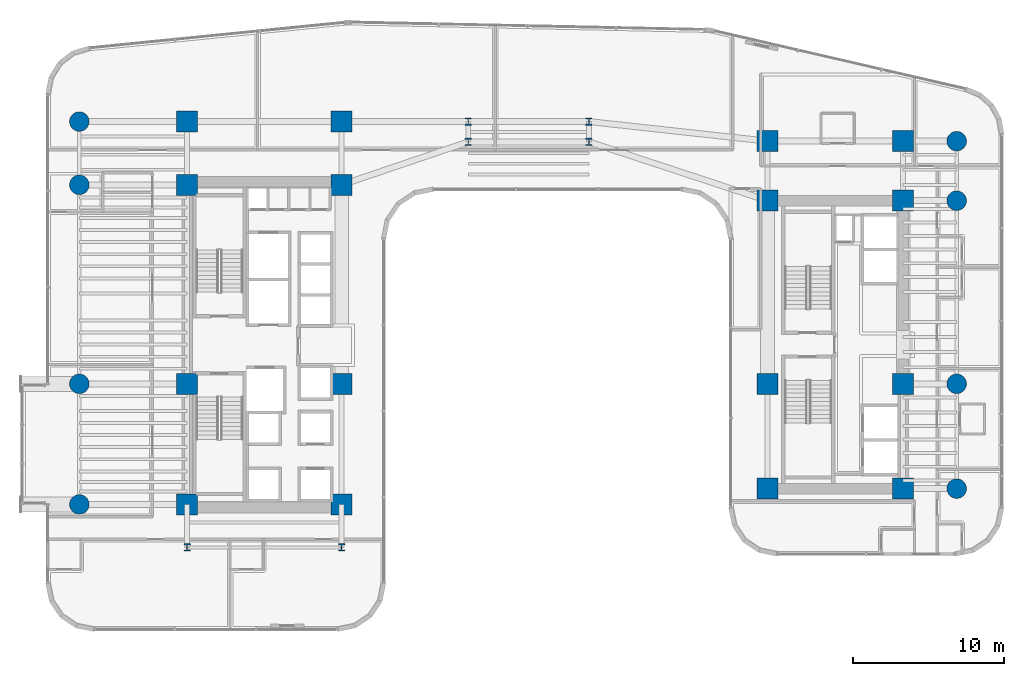
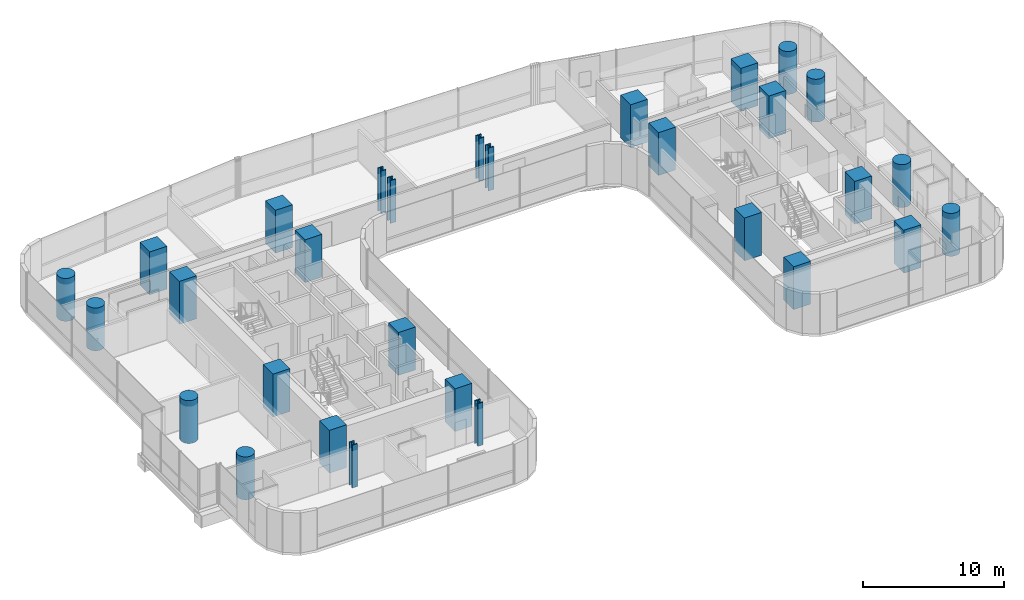
# One storey, part 1 of 41: 30 columns.
"""IFC4 building model written with IfcOpenShell, lengths in metres."""

from ifc_helpers import new_model, si_unit, direction, frame, origin, origin_2d, place, context, subcontext, project, spatial, rectangle, circle, i_section, extrude, source, transform, mapped, material, material_profile, profile_set, type_object, element, save


model = new_model("IFC4")

# Units and contexts
model_context = context("Model", 3, precision=1e-05, world=origin(), true_north=direction((0.0, 1.0)))
body_context = subcontext(model_context, "Body", "Model", "MODEL_VIEW")
ifc_project = project(units=[si_unit("LENGTHUNIT", "METRE"), si_unit("AREAUNIT", "SQUARE_METRE"), si_unit("VOLUMEUNIT", "CUBIC_METRE"), si_unit("PLANEANGLEUNIT", "RADIAN"), si_unit("MASSUNIT", "GRAM", prefix="KILO")], contexts=[model_context])

# Site, building, storey
site_placement = place(None, origin())
site = spatial("IfcSite", under=ifc_project, at=site_placement, CompositionType="ELEMENT")
building_placement = place(site_placement, origin())
building = spatial("IfcBuilding", under=site, at=building_placement, Name="Valdorenza Pilgrim Sanctuary Tower", CompositionType="ELEMENT")
storey_placement = place(building_placement, frame((0.0, 0.0, 63.0)))
storey = spatial("IfcBuildingStorey", under=building, at=storey_placement, Name="L15", CompositionType="ELEMENT", Elevation=63.0)

# Columns
ifc_material_1 = material(Name="Concrete C60/75", Category="concrete")
ifc_material_profile_1 = material_profile(ifc_material_1, circle(Radius=0.64990234375, at=origin_2d()), Name="RC D1300")
ifc_profile_set_1 = profile_set([ifc_material_profile_1], Name="Concrete C60/75")
column_type_1 = type_object("IfcColumnType", Name="COL-RND-1300", PredefinedType="COLUMN", material=ifc_profile_set_1)
shared_shape_1 = source(origin(), body_context, "Body", "SweptSolid", [
    extrude(circle(Radius=0.64990234375, at=origin_2d()), origin(), (0.0, 0.0, 1.0), 3.699951171875),
])
for number, where, z_axis, x_axis, name in (
    (1, (-29.800048828125, -10.60009765625, 0.0), (0.0, 0.0, 1.0), (1.0, 0.0, 0.0), "L15 Perimeter Column WA-W-S1"),
    (2, (-29.800048828125, -2.60009765625, 0.0), (0.0, 0.0, 1.0), (1.0, 0.0, 0.0), "L15 Perimeter Column WA-W-M0"),
    (3, (-29.800048828125, 10.60009765625, 0.0), (0.0, 0.0, 1.0), (1.0, 0.0, 0.0), "L15 Perimeter Column WA-W-N1"),
    (4, (-29.800048828125, 14.800048828125, 0.0), (0.0, 0.0, 1.0), (1.0, 0.0, 0.0), "L15 Perimeter Column WA-W-N2"),
    (5, (28.39990234375, -9.550048828125, 0.0), (0.0, 0.0, 1.0), (1.0, 0.0, 0.0), "L15 Perimeter Column WB-E-S1"),
    (6, (28.39990234375, -2.60009765625, 0.0), (0.0, 0.0, 1.0), (1.0, 0.0, 0.0), "L15 Perimeter Column WB-E-M0"),
    (7, (28.39990234375, 9.550048828125, 0.0), (0.0, 0.0, 1.0), (1.0, 0.0, 0.0), "L15 Perimeter Column WB-E-N1"),
    (8, (28.39990234375, 13.5, 0.0), (0.0, 0.0, 1.0), (1.0, 0.0, 0.0), "L15 Perimeter Column WB-E-N2"),
):
    element("IfcColumn", number, at=place(storey_placement, frame(where, z_axis=z_axis, x_axis=x_axis)), inside=storey, type_object=column_type_1, Name=name, PredefinedType="COLUMN", context=body_context, shape_type="MappedRepresentation", body=[
        mapped(shared_shape_1, transform((0.0, 0.0, 0.0), x_axis=(1.0, 0.0, 0.0), y_axis=(0.0, 1.0, 0.0), z_axis=(0.0, 0.0, 1.0), scale=1.0)),
    ])
ifc_material_profile_2 = material_profile(ifc_material_1, rectangle(XDim=1.39990234375, YDim=1.39990234375, at=origin_2d()), Name="RC 1400x1400")
ifc_profile_set_2 = profile_set([ifc_material_profile_2], Name="Concrete C60/75")
column_type_2 = type_object("IfcColumnType", Name="COL-Z1-1400", PredefinedType="COLUMN", material=ifc_profile_set_2)
shared_shape_2 = source(origin(), body_context, "Body", "SweptSolid", [
    extrude(rectangle(XDim=1.39990234375, YDim=1.39990234375, at=origin_2d()), origin(), (0.0, 0.0, 1.0), 3.699951171875),
])
for number, where, z_axis, x_axis, name in (
    (9, (-22.64990234375, -10.60009765625, 0.0), (0.0, 0.0, 1.0), (1.0, 0.0, 0.0), "L15 Column CA-W-S1"),
    (10, (-12.39990234375, -10.60009765625, 0.0), (0.0, 0.0, 1.0), (1.0, 0.0, 0.0), "L15 Column CA-E-S1"),
    (11, (-22.64990234375, -2.60009765625, 0.0), (0.0, 0.0, 1.0), (1.0, 0.0, 0.0), "L15 Column CA-W-M0"),
    (12, (-12.39990234375, -2.60009765625, 0.0), (0.0, 0.0, 1.0), (1.0, 0.0, 0.0), "L15 Column CA-E-M0"),
    (13, (-22.64990234375, 10.60009765625, 0.0), (0.0, 0.0, 1.0), (1.0, 0.0, 0.0), "L15 Column CA-W-N1"),
    (14, (-12.39990234375, 10.60009765625, 0.0), (0.0, 0.0, 1.0), (1.0, 0.0, 0.0), "L15 Column CA-E-N1"),
    (15, (-22.64990234375, 14.800048828125, 0.0), (0.0, 0.0, 1.0), (1.0, 0.0, 0.0), "L15 Column CA-W-N2"),
    (16, (-12.39990234375, 14.800048828125, 0.0), (0.0, 0.0, 1.0), (1.0, 0.0, 0.0), "L15 Column CA-E-N2"),
    (17, (15.85009765625, -9.550048828125, 0.0), (0.0, 0.0, 1.0), (1.0, 0.0, 0.0), "L15 Column CB-W-S1"),
    (18, (24.85009765625, -9.550048828125, 0.0), (0.0, 0.0, 1.0), (1.0, 0.0, 0.0), "L15 Column CB-E-S1"),
    (19, (15.85009765625, -2.60009765625, 0.0), (0.0, 0.0, 1.0), (1.0, 0.0, 0.0), "L15 Column CB-W-M0"),
    (20, (24.85009765625, -2.60009765625, 0.0), (0.0, 0.0, 1.0), (1.0, 0.0, 0.0), "L15 Column CB-E-M0"),
    (21, (15.85009765625, 9.550048828125, 0.0), (0.0, 0.0, 1.0), (1.0, 0.0, 0.0), "L15 Column CB-W-N1"),
    (22, (24.85009765625, 9.550048828125, 0.0), (0.0, 0.0, 1.0), (1.0, 0.0, 0.0), "L15 Column CB-E-N1"),
    (23, (15.85009765625, 13.5, 0.0), (0.0, 0.0, 1.0), (1.0, 0.0, 0.0), "L15 Column CB-W-N2"),
    (24, (24.85009765625, 13.5, 0.0), (0.0, 0.0, 1.0), (1.0, 0.0, 0.0), "L15 Column CB-E-N2"),
):
    element("IfcColumn", number, at=place(storey_placement, frame(where, z_axis=z_axis, x_axis=x_axis)), inside=storey, type_object=column_type_2, Name=name, PredefinedType="COLUMN", context=body_context, shape_type="MappedRepresentation", body=[
        mapped(shared_shape_2, transform((0.0, 0.0, 0.0), x_axis=(1.0, 0.0, 0.0), y_axis=(0.0, 1.0, 0.0), z_axis=(0.0, 0.0, 1.0), scale=1.0)),
    ])
ifc_material_2 = material(Name="Steel ASTM A992 Grade 50", Category="steel")
ifc_material_profile_3 = material_profile(ifc_material_2, i_section(OverallWidth=0.431884765625, OverallDepth=0.498046875, WebThickness=0.0556640625, FlangeThickness=0.0888671875, at=origin_2d()), Name="W14X500")
ifc_profile_set_3 = profile_set([ifc_material_profile_3], Name="Steel ASTM A992 Grade 50")
column_type_3 = type_object("IfcColumnType", Name="COL-STL-W500", PredefinedType="COLUMN", material=ifc_profile_set_3)
shared_shape_3 = source(origin(), body_context, "Body", "SweptSolid", [
    extrude(i_section(OverallWidth=0.431884765625, OverallDepth=0.498046875, WebThickness=0.0556640625, FlangeThickness=0.0888671875, at=origin_2d()), origin(), (0.0, 0.0, 1.0), 3.699951171875),
])
for number, where, z_axis, x_axis, name in (
    (25, (-22.64990234375, -13.449951171875, 0.0), (0.0, 0.0, 1.0), (1.0, 0.0, 0.0), "L15 Column WA-S-W"),
    (26, (-12.39990234375, -13.449951171875, 0.0), (0.0, 0.0, 1.0), (1.0, 0.0, 0.0), "L15 Column WA-S-E"),
    (27, (-4.0, 13.449951171875, 0.0), (0.0, 0.0, 1.0), (1.0, 0.0, 0.0), "L15 Column KNK-W1"),
    (28, (-4.0, 14.800048828125, 0.0), (0.0, 0.0, 1.0), (1.0, 0.0, 0.0), "L15 Column KNK-W2"),
    (29, (4.0, 13.449951171875, 0.0), (0.0, 0.0, 1.0), (1.0, 0.0, 0.0), "L15 Column KNK-E1"),
    (30, (4.0, 14.800048828125, 0.0), (0.0, 0.0, 1.0), (1.0, 0.0, 0.0), "L15 Column KNK-E2"),
):
    element("IfcColumn", number, at=place(storey_placement, frame(where, z_axis=z_axis, x_axis=x_axis)), inside=storey, type_object=column_type_3, Name=name, PredefinedType="COLUMN", context=body_context, shape_type="MappedRepresentation", body=[
        mapped(shared_shape_3, transform((0.0, 0.0, 0.0), x_axis=(1.0, 0.0, 0.0), y_axis=(0.0, 1.0, 0.0), z_axis=(0.0, 0.0, 1.0), scale=1.0)),
    ])

save(model, "model.ifc")
